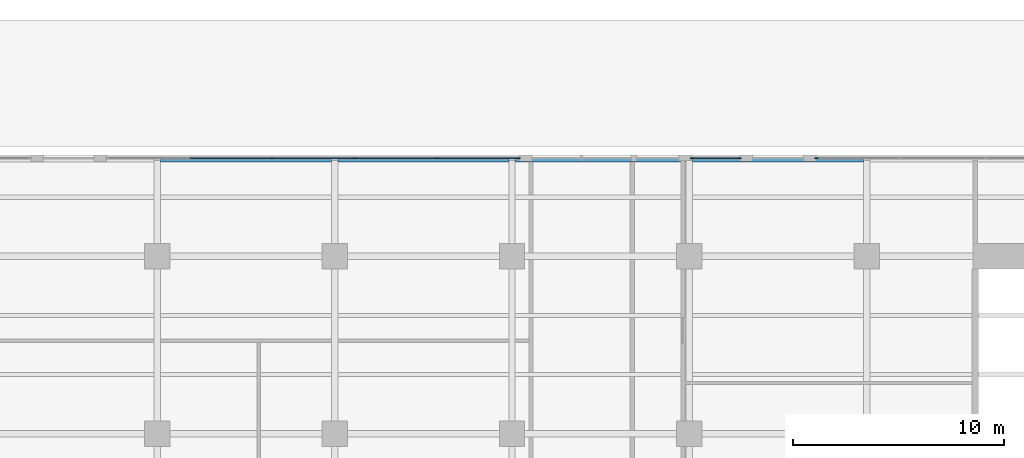
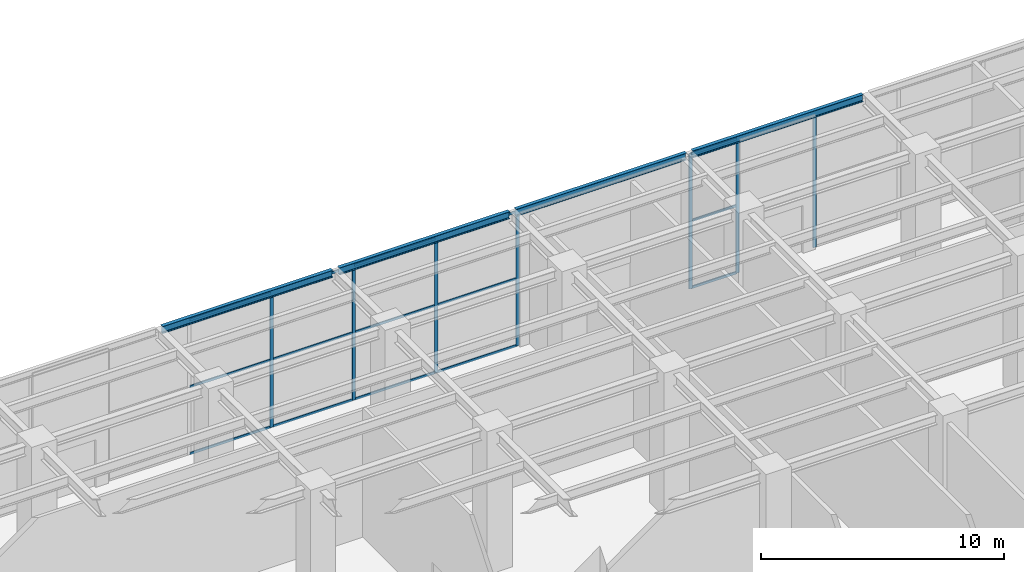
# One storey, part 19 of 43: 22 members, 4 beams, 3 elements without a shape of their own.
"""IFC4 building model written with IfcOpenShell, lengths in metres."""

from ifc_helpers import new_model, si_unit, direction, frame, origin, origin_2d, place, context, subcontext, project, spatial, rectangle, i_section, extrude, material, material_profile, profile_set, type_object, element, aggregate, save


model = new_model("IFC4")

# Units and contexts
model_context = context("Model", 3, precision=1e-05, world=origin(), true_north=direction((0.0, 1.0)))
body_context = subcontext(model_context, "Body", "Model", "MODEL_VIEW")
ifc_project = project(units=[si_unit("LENGTHUNIT", "METRE"), si_unit("AREAUNIT", "SQUARE_METRE"), si_unit("VOLUMEUNIT", "CUBIC_METRE"), si_unit("PLANEANGLEUNIT", "RADIAN"), si_unit("MASSUNIT", "GRAM", prefix="KILO")], contexts=[model_context])

# Site, building, storey
site_placement = place(None, origin())
site = spatial("IfcSite", under=ifc_project, at=site_placement, CompositionType="ELEMENT")
building_placement = place(site_placement, origin())
building = spatial("IfcBuilding", under=site, at=building_placement, Name="Khepri Terraces", CompositionType="ELEMENT")
storey_placement = place(building_placement, origin())
storey = spatial("IfcBuildingStorey", under=building, at=storey_placement, Name="L00", CompositionType="ELEMENT", Elevation=0.0)

# Curtain wall, member
ifc_material_1 = material(Name="Anodised aluminium bronze curtain wall", Category="aluminium")
curtain_wall_type = type_object("IfcCurtainWallType", Name="CW-SYS1-LOBBY", PredefinedType="NOTDEFINED", material=ifc_material_1)
curtain_wall_1_placement = place(storey_placement, origin())
curtain_wall_1 = element("IfcCurtainWall", 1, at=curtain_wall_1_placement, inside=storey, type_object=curtain_wall_type, Name="Curtain wall CW1 L00 N", PredefinedType="NOTDEFINED")
ifc_material_2 = material(Name="Anodised aluminium bronze", Category="aluminium")
ifc_material_profile_1 = material_profile(ifc_material_2, rectangle(XDim=0.06005859375, YDim=0.159912109375, at=origin_2d()), Name="Anodised aluminium bronze", Category="aluminium")
ifc_profile_set_1 = profile_set([ifc_material_profile_1], Name="Anodised aluminium bronze")
member_type_1 = type_object("IfcMemberType", Name="CW-MULLION-60x160", PredefinedType="MULLION", material=ifc_profile_set_1)
member_1_placement = place(storey_placement, frame((14.429931640625, 46.64990234375, 0.0), z_axis=(0.0, 0.0, 1.0), x_axis=(0.0, -1.0, 0.0)))
member_1 = element("IfcMember", 2, at=member_1_placement, type_object=member_type_1, Name="CW1 mullion 9", PredefinedType="MULLION", context=body_context, shape_type="SweptSolid", body=[
    extrude(rectangle(XDim=0.06005859375, YDim=0.159912109375, at=origin_2d()), origin(), (0.0, 0.0, 1.0), 6.780029296875),
])
aggregate(curtain_wall_1, [member_1])

# Curtain wall, members
curtain_wall_2_placement = place(storey_placement, origin())
curtain_wall_2 = element("IfcCurtainWall", 3, at=curtain_wall_2_placement, inside=storey, type_object=curtain_wall_type, Name="Curtain wall CW1 L00 N", PredefinedType="NOTDEFINED")
member_2_placement = place(storey_placement, frame((10.77001953125, 46.64990234375, 0.0), z_axis=(0.0, 0.0, 1.0), x_axis=(0.0, -1.0, 0.0)))
member_2 = element("IfcMember", 4, at=member_2_placement, type_object=member_type_1, Name="CW1 mullion 1", PredefinedType="MULLION", context=body_context, shape_type="SweptSolid", body=[
    extrude(rectangle(XDim=0.06005859375, YDim=0.159912109375, at=origin_2d()), origin(), (0.0, 0.0, 1.0), 6.780029296875),
])
member_3_placement = place(storey_placement, frame((8.530029296875, 46.64990234375, 0.0), z_axis=(0.0, 0.0, 1.0), x_axis=(0.0, -1.0, 0.0)))
member_3 = element("IfcMember", 5, at=member_3_placement, type_object=member_type_1, Name="CW1 mullion 2", PredefinedType="MULLION", context=body_context, shape_type="SweptSolid", body=[
    extrude(rectangle(XDim=0.06005859375, YDim=0.159912109375, at=origin_2d()), origin(), (0.0, 0.0, 1.0), 6.780029296875),
])

curtain_wall_3_placement = place(storey_placement, origin())
curtain_wall_3 = element("IfcCurtainWall", 6, at=curtain_wall_3_placement, inside=storey, type_object=curtain_wall_type, Name="Curtain wall CW1 L00 N", PredefinedType="NOTDEFINED")
member_4_placement = place(storey_placement, frame((0.320068359375, 46.64990234375, 0.0), z_axis=(0.0, 0.0, 1.0), x_axis=(0.0, -1.0, 0.0)))
member_4 = element("IfcMember", 7, at=member_4_placement, type_object=member_type_1, Name="CW1 mullion 1", PredefinedType="MULLION", context=body_context, shape_type="SweptSolid", body=[
    extrude(rectangle(XDim=0.06005859375, YDim=0.159912109375, at=origin_2d()), origin(), (0.0, 0.0, 1.0), 6.780029296875),
])
member_5_placement = place(storey_placement, frame((-3.56005859375, 46.64990234375, 0.0), z_axis=(0.0, 0.0, 1.0), x_axis=(0.0, -1.0, 0.0)))
member_5 = element("IfcMember", 8, at=member_5_placement, type_object=member_type_1, Name="CW1 mullion 2", PredefinedType="MULLION", context=body_context, shape_type="SweptSolid", body=[
    extrude(rectangle(XDim=0.06005859375, YDim=0.159912109375, at=origin_2d()), origin(), (0.0, 0.0, 1.0), 6.780029296875),
])
member_6_placement = place(storey_placement, frame((-7.469970703125, 46.64990234375, 0.0), z_axis=(0.0, 0.0, 1.0), x_axis=(0.0, -1.0, 0.0)))
member_6 = element("IfcMember", 9, at=member_6_placement, type_object=member_type_1, Name="CW1 mullion 3", PredefinedType="MULLION", context=body_context, shape_type="SweptSolid", body=[
    extrude(rectangle(XDim=0.06005859375, YDim=0.159912109375, at=origin_2d()), origin(), (0.0, 0.0, 1.0), 6.780029296875),
])
member_7_placement = place(storey_placement, frame((-11.3798828125, 46.64990234375, 0.0), z_axis=(0.0, 0.0, 1.0), x_axis=(0.0, -1.0, 0.0)))
member_7 = element("IfcMember", 10, at=member_7_placement, type_object=member_type_1, Name="CW1 mullion 4", PredefinedType="MULLION", context=body_context, shape_type="SweptSolid", body=[
    extrude(rectangle(XDim=0.06005859375, YDim=0.159912109375, at=origin_2d()), origin(), (0.0, 0.0, 1.0), 6.780029296875),
])

# Member
ifc_material_profile_2 = material_profile(ifc_material_2, rectangle(XDim=0.06005859375, YDim=0.1201171875, at=origin_2d()), Name="Anodised aluminium bronze", Category="aluminium")
ifc_profile_set_2 = profile_set([ifc_material_profile_2], Name="Anodised aluminium bronze")
member_type_2 = type_object("IfcMemberType", Name="CW-TRANSOM-60x120", PredefinedType="USERDEFINED", material=ifc_profile_set_2)
member_8_placement = place(storey_placement, frame((10.739990234375, 46.64990234375, 0.030029296875), z_axis=(-1.0, 0.0, 0.0), x_axis=(0.0, -1.0, 0.0)))
member_8 = element("IfcMember", 11, at=member_8_placement, type_object=member_type_2, Name="CW1 transom 1.1", ObjectType="TRANSOM", PredefinedType="USERDEFINED", context=body_context, shape_type="SweptSolid", body=[
    extrude(rectangle(XDim=0.06005859375, YDim=0.1201171875, at=origin_2d()), origin(), (0.0, 0.0, 1.0), 2.179931640625),
])

member_9_placement = place(storey_placement, frame((10.739990234375, 46.64990234375, 3.389892578125), z_axis=(-1.0, 0.0, 0.0), x_axis=(0.0, -1.0, 0.0)))
member_9 = element("IfcMember", 12, at=member_9_placement, type_object=member_type_2, Name="CW1 transom 1.2", ObjectType="TRANSOM", PredefinedType="USERDEFINED", context=body_context, shape_type="SweptSolid", body=[
    extrude(rectangle(XDim=0.06005859375, YDim=0.1201171875, at=origin_2d()), origin(), (0.0, 0.0, 1.0), 2.179931640625),
])

member_10_placement = place(storey_placement, frame((10.739990234375, 46.64990234375, 6.75), z_axis=(-1.0, 0.0, 0.0), x_axis=(0.0, -1.0, 0.0)))
member_10 = element("IfcMember", 13, at=member_10_placement, type_object=member_type_2, Name="CW1 transom 1.3", ObjectType="TRANSOM", PredefinedType="USERDEFINED", context=body_context, shape_type="SweptSolid", body=[
    extrude(rectangle(XDim=0.06005859375, YDim=0.1201171875, at=origin_2d()), origin(), (0.0, 0.0, 1.0), 2.179931640625),
])

aggregate(curtain_wall_2, [member_2, member_3, member_8, member_9, member_10])

member_11_placement = place(storey_placement, frame((0.2900390625, 46.64990234375, 0.030029296875), z_axis=(-1.0, 0.0, 0.0), x_axis=(0.0, -1.0, 0.0)))
member_11 = element("IfcMember", 14, at=member_11_placement, type_object=member_type_2, Name="CW1 transom 1.1", ObjectType="TRANSOM", PredefinedType="USERDEFINED", context=body_context, shape_type="SweptSolid", body=[
    extrude(rectangle(XDim=0.06005859375, YDim=0.1201171875, at=origin_2d()), origin(), (0.0, 0.0, 1.0), 3.820068359375),
])

member_12_placement = place(storey_placement, frame((0.2900390625, 46.64990234375, 3.389892578125), z_axis=(-1.0, 0.0, 0.0), x_axis=(0.0, -1.0, 0.0)))
member_12 = element("IfcMember", 15, at=member_12_placement, type_object=member_type_2, Name="CW1 transom 1.2", ObjectType="TRANSOM", PredefinedType="USERDEFINED", context=body_context, shape_type="SweptSolid", body=[
    extrude(rectangle(XDim=0.06005859375, YDim=0.1201171875, at=origin_2d()), origin(), (0.0, 0.0, 1.0), 3.820068359375),
])

member_13_placement = place(storey_placement, frame((0.2900390625, 46.64990234375, 6.75), z_axis=(-1.0, 0.0, 0.0), x_axis=(0.0, -1.0, 0.0)))
member_13 = element("IfcMember", 16, at=member_13_placement, type_object=member_type_2, Name="CW1 transom 1.3", ObjectType="TRANSOM", PredefinedType="USERDEFINED", context=body_context, shape_type="SweptSolid", body=[
    extrude(rectangle(XDim=0.06005859375, YDim=0.1201171875, at=origin_2d()), origin(), (0.0, 0.0, 1.0), 3.820068359375),
])

member_14_placement = place(storey_placement, frame((-3.590087890625, 46.64990234375, 0.030029296875), z_axis=(-1.0, 0.0, 0.0), x_axis=(0.0, -1.0, 0.0)))
member_14 = element("IfcMember", 17, at=member_14_placement, type_object=member_type_2, Name="CW1 transom 2.1", ObjectType="TRANSOM", PredefinedType="USERDEFINED", context=body_context, shape_type="SweptSolid", body=[
    extrude(rectangle(XDim=0.06005859375, YDim=0.1201171875, at=origin_2d()), origin(), (0.0, 0.0, 1.0), 3.849853515625),
])

member_15_placement = place(storey_placement, frame((-3.590087890625, 46.64990234375, 3.389892578125), z_axis=(-1.0, 0.0, 0.0), x_axis=(0.0, -1.0, 0.0)))
member_15 = element("IfcMember", 18, at=member_15_placement, type_object=member_type_2, Name="CW1 transom 2.2", ObjectType="TRANSOM", PredefinedType="USERDEFINED", context=body_context, shape_type="SweptSolid", body=[
    extrude(rectangle(XDim=0.06005859375, YDim=0.1201171875, at=origin_2d()), origin(), (0.0, 0.0, 1.0), 3.849853515625),
])

member_16_placement = place(storey_placement, frame((-3.590087890625, 46.64990234375, 6.75), z_axis=(-1.0, 0.0, 0.0), x_axis=(0.0, -1.0, 0.0)))
member_16 = element("IfcMember", 19, at=member_16_placement, type_object=member_type_2, Name="CW1 transom 2.3", ObjectType="TRANSOM", PredefinedType="USERDEFINED", context=body_context, shape_type="SweptSolid", body=[
    extrude(rectangle(XDim=0.06005859375, YDim=0.1201171875, at=origin_2d()), origin(), (0.0, 0.0, 1.0), 3.849853515625),
])

member_17_placement = place(storey_placement, frame((-7.5, 46.64990234375, 0.030029296875), z_axis=(-1.0, 0.0, 0.0), x_axis=(0.0, -1.0, 0.0)))
member_17 = element("IfcMember", 20, at=member_17_placement, type_object=member_type_2, Name="CW1 transom 3.1", ObjectType="TRANSOM", PredefinedType="USERDEFINED", context=body_context, shape_type="SweptSolid", body=[
    extrude(rectangle(XDim=0.06005859375, YDim=0.1201171875, at=origin_2d()), origin(), (0.0, 0.0, 1.0), 3.85009765625),
])

member_18_placement = place(storey_placement, frame((-7.5, 46.64990234375, 3.389892578125), z_axis=(-1.0, 0.0, 0.0), x_axis=(0.0, -1.0, 0.0)))
member_18 = element("IfcMember", 21, at=member_18_placement, type_object=member_type_2, Name="CW1 transom 3.2", ObjectType="TRANSOM", PredefinedType="USERDEFINED", context=body_context, shape_type="SweptSolid", body=[
    extrude(rectangle(XDim=0.06005859375, YDim=0.1201171875, at=origin_2d()), origin(), (0.0, 0.0, 1.0), 3.85009765625),
])

member_19_placement = place(storey_placement, frame((-7.5, 46.64990234375, 6.75), z_axis=(-1.0, 0.0, 0.0), x_axis=(0.0, -1.0, 0.0)))
member_19 = element("IfcMember", 22, at=member_19_placement, type_object=member_type_2, Name="CW1 transom 3.3", ObjectType="TRANSOM", PredefinedType="USERDEFINED", context=body_context, shape_type="SweptSolid", body=[
    extrude(rectangle(XDim=0.06005859375, YDim=0.1201171875, at=origin_2d()), origin(), (0.0, 0.0, 1.0), 3.85009765625),
])

member_20_placement = place(storey_placement, frame((-11.409912109375, 46.64990234375, 0.030029296875), z_axis=(-1.0, 0.0, 0.0), x_axis=(0.0, -1.0, 0.0)))
member_20 = element("IfcMember", 23, at=member_20_placement, type_object=member_type_2, Name="CW1 transom 4.1", ObjectType="TRANSOM", PredefinedType="USERDEFINED", context=body_context, shape_type="SweptSolid", body=[
    extrude(rectangle(XDim=0.06005859375, YDim=0.1201171875, at=origin_2d()), origin(), (0.0, 0.0, 1.0), 3.85009765625),
])

member_21_placement = place(storey_placement, frame((-11.409912109375, 46.64990234375, 3.389892578125), z_axis=(-1.0, 0.0, 0.0), x_axis=(0.0, -1.0, 0.0)))
member_21 = element("IfcMember", 24, at=member_21_placement, type_object=member_type_2, Name="CW1 transom 4.2", ObjectType="TRANSOM", PredefinedType="USERDEFINED", context=body_context, shape_type="SweptSolid", body=[
    extrude(rectangle(XDim=0.06005859375, YDim=0.1201171875, at=origin_2d()), origin(), (0.0, 0.0, 1.0), 3.85009765625),
])

member_22_placement = place(storey_placement, frame((-11.409912109375, 46.64990234375, 6.75), z_axis=(-1.0, 0.0, 0.0), x_axis=(0.0, -1.0, 0.0)))
member_22 = element("IfcMember", 25, at=member_22_placement, type_object=member_type_2, Name="CW1 transom 4.3", ObjectType="TRANSOM", PredefinedType="USERDEFINED", context=body_context, shape_type="SweptSolid", body=[
    extrude(rectangle(XDim=0.06005859375, YDim=0.1201171875, at=origin_2d()), origin(), (0.0, 0.0, 1.0), 3.85009765625),
])

aggregate(curtain_wall_3, [member_4, member_5, member_6, member_7, member_11, member_12, member_13, member_14, member_15, member_16, member_17, member_18, member_19, member_20, member_21, member_22])

# Beams
ifc_material_3 = material(Name="Steel S355", Category="steel")
ifc_material_profile_3 = material_profile(ifc_material_3, i_section(OverallWidth=0.169921875, OverallDepth=0.360107421875, WebThickness=0.008056640625, FlangeThickness=0.0126953125, FilletRadius=0.01806640625, at=origin_2d()), Name="Steel S355", Category="steel")
ifc_profile_set_3 = profile_set([ifc_material_profile_3], Name="Steel S355")
beam_type = type_object("IfcBeamType", Name="Podium edge beam L01 IPE 360", PredefinedType="SPANDREL", material=ifc_profile_set_3)
beam_1_placement = place(storey_placement, frame((-16.64990234375, 46.550048828125, 6.820068359375), z_axis=(1.0, 0.0, 0.0), x_axis=(0.0, 1.0, 0.0)))
element("IfcBeam", 26, at=beam_1_placement, inside=storey, type_object=beam_type, Name="Podium edge beam L01 017", PredefinedType="SPANDREL", context=body_context, shape_type="SweptSolid", body=[
    extrude(i_section(OverallWidth=0.169921875, OverallDepth=0.360107421875, WebThickness=0.008056640625, FlangeThickness=0.0126953125, FilletRadius=0.01806640625, at=origin_2d()), origin(), (0.0, 0.0, 1.0), 8.099853515625),
])
for number, where, z_axis, x_axis, name in (
    (27, (-8.25, 46.550048828125, 6.820068359375), (1.0, 0.0, 0.0), (0.0, 1.0, 0.0), "Podium edge beam L01 018"),
    (28, (0.14990234375, 46.550048828125, 6.820068359375), (1.0, 0.0, 0.0), (0.0, 1.0, 0.0), "Podium edge beam L01 019"),
):
    element("IfcBeam", number, at=place(storey_placement, frame(where, z_axis=z_axis, x_axis=x_axis)), inside=storey, type_object=beam_type, Name=name, PredefinedType="SPANDREL", context=body_context, shape_type="SweptSolid", body=[
        extrude(i_section(OverallWidth=0.169921875, OverallDepth=0.360107421875, WebThickness=0.008056640625, FlangeThickness=0.0126953125, FilletRadius=0.01806640625, at=origin_2d()), origin(), (0.0, 0.0, 1.0), 8.10009765625),
    ])
beam_2_placement = place(storey_placement, frame((8.550048828125, 46.550048828125, 6.820068359375), z_axis=(1.0, 0.0, 0.0), x_axis=(0.0, 1.0, 0.0)))
element("IfcBeam", 29, at=beam_2_placement, inside=storey, type_object=beam_type, Name="Podium edge beam L01 020", PredefinedType="SPANDREL", context=body_context, shape_type="SweptSolid", body=[
    extrude(i_section(OverallWidth=0.169921875, OverallDepth=0.360107421875, WebThickness=0.008056640625, FlangeThickness=0.0126953125, FilletRadius=0.01806640625, at=origin_2d()), origin(), (0.0, 0.0, 1.0), 8.099853515625),
])

save(model, "model.ifc")
